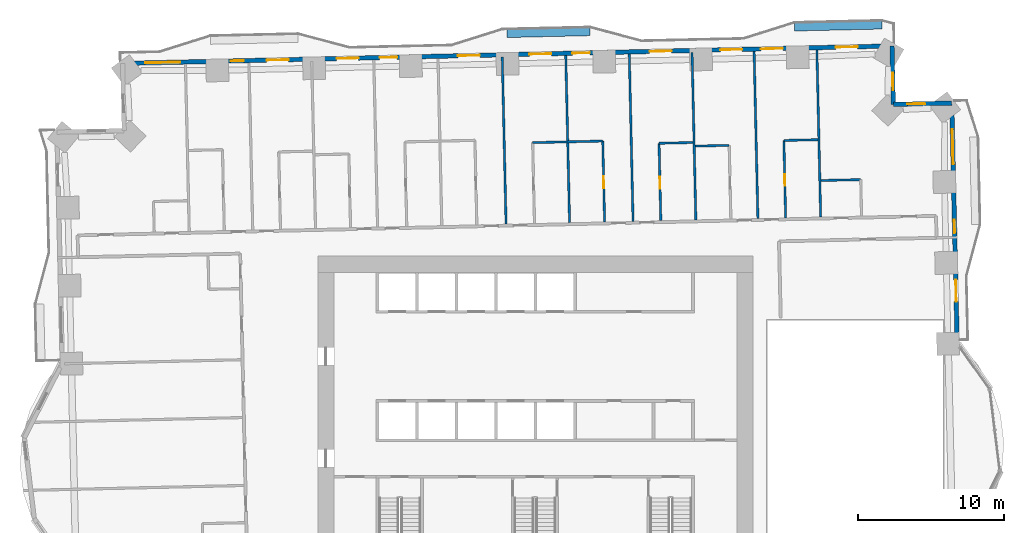
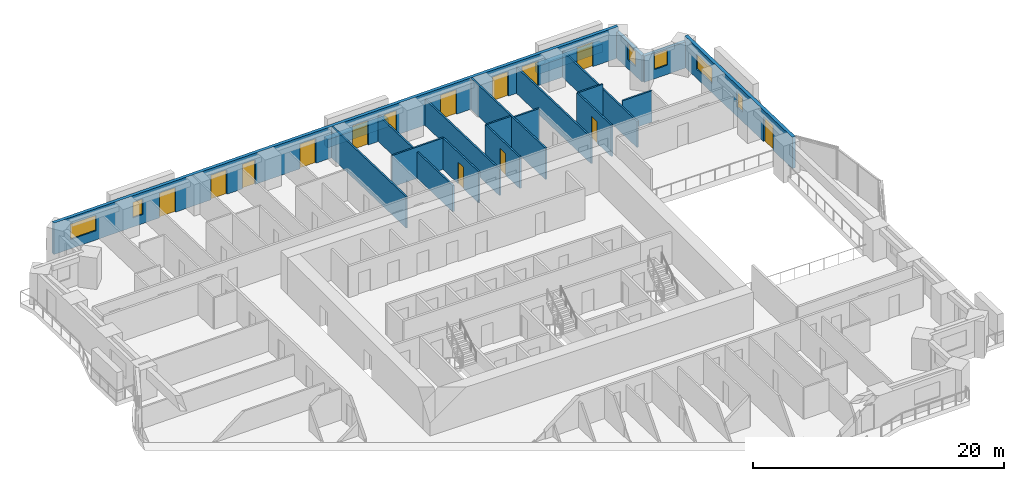
# One storey, part 11 of 16: 20 walls, 14 doors, 6 windows, 20 openings.
"""IFC4 building model written with IfcOpenShell, lengths in metres."""

from ifc_helpers import new_model, si_unit, direction, frame, frame_2d, origin, place, context, subcontext, project, spatial, rectangle, extrude, material, layer, layer_set, type_object, element, fill, save


model = new_model("IFC4")

# Units and contexts
model_context = context("Model", 3, precision=1e-05, world=origin(), true_north=direction((0.0, 1.0)))
body_context = subcontext(model_context, "Body", "Model", "MODEL_VIEW")
ifc_project = project(units=[si_unit("LENGTHUNIT", "METRE"), si_unit("AREAUNIT", "SQUARE_METRE"), si_unit("VOLUMEUNIT", "CUBIC_METRE"), si_unit("PLANEANGLEUNIT", "RADIAN"), si_unit("MASSUNIT", "GRAM", prefix="KILO")], contexts=[model_context])

# Site, building, storey
site_placement = place(None, origin())
site = spatial("IfcSite", under=ifc_project, at=site_placement, CompositionType="ELEMENT")
building_placement = place(site_placement, origin())
building = spatial("IfcBuilding", under=site, at=building_placement, Name="Mangrove Gate Tower", CompositionType="ELEMENT")
storey_placement = place(building_placement, frame((0.0, 0.0, 41.300048828125)))
storey = spatial("IfcBuildingStorey", under=building, at=storey_placement, Name="L09", CompositionType="ELEMENT", Elevation=41.300048828125)

# Wall, openings, door, windows
ifc_material_1 = material(Name="Limestone", Category="masonry")
ifc_layer_1 = layer(ifc_material_1, 0.0400390625, Name="Limestone cladding")
ifc_material_2 = material(Name="Ventilated air gap")
ifc_layer_2 = layer(ifc_material_2, 0.0400390625, Name="Ventilated cavity")
ifc_material_3 = material(Name="Mineral wool insulation")
ifc_layer_3 = layer(ifc_material_3, 0.06005859375, Name="Insulation")
ifc_material_4 = material(Name="Breather membrane")
ifc_layer_4 = layer(ifc_material_4, 0.001953125, Name="Breather membrane")
ifc_material_5 = material(Name="Concrete C20/25 blockwork", Category="masonry")
ifc_layer_5 = layer(ifc_material_5, 0.14990234375, Name="Blockwork backing wall")
ifc_material_6 = material(Name="Gypsum plaster")
ifc_layer_6 = layer(ifc_material_6, 0.008056640625, Name="Internal plaster")
ifc_layer_set_1 = layer_set([ifc_layer_1, ifc_layer_2, ifc_layer_3, ifc_layer_4, ifc_layer_5, ifc_layer_6], Name="External wall 300 limestone cladding")
wall_type_1 = type_object("IfcWallType", Name="External wall 300 limestone cladding", PredefinedType="SOLIDWALL", material=ifc_layer_set_1)
wall_1_placement = place(storey_placement, frame((28.886962890625, 5.864013671875, 0.0), z_axis=(0.0, 0.0, 1.0), x_axis=(-0.022687182773, 0.999742612745, 0.0)))
wall_1 = element("IfcWall", 1, at=wall_1_placement, inside=storey, type_object=wall_type_1, Name="WALL-L09-E2", PredefinedType="SOLIDWALL", context=body_context, shape_type="SweptSolid", body=[
    extrude(rectangle(XDim=16.529052734375, YDim=0.300048828125, at=frame_2d((8.2646484375, 0.0))), origin(), (0.0, 0.0, 1.0), 3.050048828125),
])
opening_1_placement = place(wall_1_placement, frame((2.928955078125, 0.0, 0.0)))
opening_1 = element("IfcOpeningElement", 2, at=opening_1_placement, cuts=wall_1, Name="Opening BD1", PredefinedType="OPENING", context=body_context, shape_type="SweptSolid", body=[
    extrude(rectangle(XDim=1.5, YDim=2.39990234375, at=frame_2d((0.75, 1.199951171875))), frame((0.0, 0.159912109375, 0.0), z_axis=(0.0, -1.0, 0.0), x_axis=(1.0, 0.0, 0.0)), (0.0, 0.0, 1.0), 0.320068359375),
])
opening_2_placement = place(wall_1_placement, frame((7.62890625, 0.0, 0.89990234375)))
opening_2 = element("IfcOpeningElement", 3, at=opening_2_placement, cuts=wall_1, Name="Opening W5", PredefinedType="OPENING", context=body_context, shape_type="SweptSolid", body=[
    extrude(rectangle(XDim=0.89990234375, YDim=1.5, at=frame_2d((0.449951171875, 0.75))), frame((0.0, 0.159912109375, 0.0), z_axis=(0.0, -1.0, 0.0), x_axis=(1.0, 0.0, 0.0)), (0.0, 0.0, 1.0), 0.320068359375),
])
opening_3_placement = place(wall_1_placement, frame((12.3291015625, 0.0, 0.89990234375)))
opening_3 = element("IfcOpeningElement", 4, at=opening_3_placement, cuts=wall_1, Name="Opening W2", PredefinedType="OPENING", context=body_context, shape_type="SweptSolid", body=[
    extrude(rectangle(XDim=2.39990234375, YDim=1.5, at=frame_2d((1.199951171875, 0.75))), frame((0.0, 0.159912109375, 0.0), z_axis=(0.0, -1.0, 0.0), x_axis=(1.0, 0.0, 0.0)), (0.0, 0.0, 1.0), 0.320068359375),
])
ifc_material_7 = material(Name="Aluminium frame with laminated clear glass", Category="aluminium")
door_type_1 = type_object("IfcDoorType", Name="Balcony sliding door 1500x2400", OperationType="SLIDING_TO_LEFT", PredefinedType="DOOR", material=ifc_material_7)
door_1_placement = place(opening_1_placement, origin())
door_1 = element("IfcDoor", 5, at=door_1_placement, inside=storey, type_object=door_type_1, Name="DOOR-L09-E2-1", OperationType="SLIDING_TO_LEFT", OverallHeight=2.39990234375, OverallWidth=1.5, PredefinedType="DOOR", context=body_context, shape_type="SweptSolid", body=[
    extrude(rectangle(XDim=1.5, YDim=2.39990234375, at=frame_2d((0.75, 1.199951171875))), frame((0.0, 0.02490234375, 0.0), z_axis=(0.0, -1.0, 0.0), x_axis=(1.0, 0.0, 0.0)), (0.0, 0.0, 1.0), 0.050048828125),
])
fill(opening_1, door_1)
ifc_material_8 = material(Name="Aluminium frame with double-glazed low-e glass", Category="aluminium")
window_type_1 = type_object("IfcWindowType", Name="Corner room window 2400x1500", PartitioningType="DOUBLE_PANEL_VERTICAL", PredefinedType="WINDOW", material=ifc_material_8)
window_1_placement = place(opening_3_placement, origin())
window_1 = element("IfcWindow", 6, at=window_1_placement, inside=storey, type_object=window_type_1, Name="WIN-L09-E2-3", OverallHeight=1.5, OverallWidth=2.39990234375, PartitioningType="DOUBLE_PANEL_VERTICAL", PredefinedType="WINDOW", context=body_context, shape_type="SweptSolid", body=[
    extrude(rectangle(XDim=2.39990234375, YDim=1.5, at=frame_2d((1.199951171875, 0.75))), frame((0.0, 0.030029296875, 0.0), z_axis=(0.0, -1.0, 0.0), x_axis=(1.0, 0.0, 0.0)), (0.0, 0.0, 1.0), 0.06005859375),
])
fill(opening_3, window_1)
ifc_material_9 = material(Name="Aluminium frame with double-glazed low-e glass", Category="aluminium")
window_type_2 = type_object("IfcWindowType", Name="Narrow window 900x1500", PartitioningType="SINGLE_PANEL", PredefinedType="WINDOW", material=ifc_material_9)
window_2_placement = place(opening_2_placement, origin())
window_2 = element("IfcWindow", 7, at=window_2_placement, inside=storey, type_object=window_type_2, Name="WIN-L09-E2-2", OverallHeight=1.5, OverallWidth=0.89990234375, PartitioningType="SINGLE_PANEL", PredefinedType="WINDOW", context=body_context, shape_type="SweptSolid", body=[
    extrude(rectangle(XDim=0.89990234375, YDim=1.5, at=frame_2d((0.449951171875, 0.75))), frame((0.0, 0.030029296875, 0.0), z_axis=(0.0, -1.0, 0.0), x_axis=(1.0, 0.0, 0.0)), (0.0, 0.0, 1.0), 0.06005859375),
])
fill(opening_2, window_2)

# Wall, opening, window
wall_2_placement = place(storey_placement, frame((28.511962890625, 22.388916015625, 0.0), z_axis=(0.0, 0.0, 1.0), x_axis=(-0.999747725427, -0.022460754759, 0.0)))
wall_2 = element("IfcWall", 8, at=wall_2_placement, inside=storey, type_object=wall_type_1, Name="WALL-L09-N3", PredefinedType="SOLIDWALL", context=body_context, shape_type="SweptSolid", body=[
    extrude(rectangle(XDim=4.0, YDim=0.300048828125, at=frame_2d((2.0, 0.0))), origin(), (0.0, 0.0, 1.0), 2.550048828125),
])
opening_4_placement = place(wall_2_placement, frame((1.8310546875, 0.0, 0.89990234375)))
opening_4 = element("IfcOpeningElement", 9, at=opening_4_placement, cuts=wall_2, Name="Opening W1", PredefinedType="OPENING", context=body_context, shape_type="SweptSolid", body=[
    extrude(rectangle(XDim=1.199951171875, YDim=1.5, at=frame_2d((0.60009765625, 0.75))), frame((0.0, 0.159912109375, 0.0), z_axis=(0.0, -1.0, 0.0), x_axis=(1.0, 0.0, 0.0)), (0.0, 0.0, 1.0), 0.320068359375),
])
ifc_material_10 = material(Name="Aluminium frame with double-glazed low-e glass", Category="aluminium")
window_type_3 = type_object("IfcWindowType", Name="Side lite 1200x1500", PartitioningType="SINGLE_PANEL", PredefinedType="WINDOW", material=ifc_material_10)
window_3_placement = place(opening_4_placement, origin())
window_3 = element("IfcWindow", 10, at=window_3_placement, inside=storey, type_object=window_type_3, Name="WIN-L09-N3-1", OverallHeight=1.5, OverallWidth=1.199951171875, PartitioningType="SINGLE_PANEL", PredefinedType="WINDOW", context=body_context, shape_type="SweptSolid", body=[
    extrude(rectangle(XDim=1.199951171875, YDim=1.5, at=frame_2d((0.60009765625, 0.75))), frame((0.0, 0.030029296875, 0.0), z_axis=(0.0, -1.0, 0.0), x_axis=(1.0, 0.0, 0.0)), (0.0, 0.0, 1.0), 0.06005859375),
])
fill(opening_4, window_3)

wall_3_placement = place(storey_placement, frame((24.512939453125, 22.299072265625, 0.0), z_axis=(0.0, 0.0, 1.0), x_axis=(-0.022460754759, 0.999747725427, 0.0)))
wall_3 = element("IfcWall", 11, at=wall_3_placement, inside=storey, type_object=wall_type_1, Name="WALL-L09-E4", PredefinedType="SOLIDWALL", context=body_context, shape_type="SweptSolid", body=[
    extrude(rectangle(XDim=4.0, YDim=0.300048828125, at=frame_2d((2.0, 0.0))), origin(), (0.0, 0.0, 1.0), 2.550048828125),
])
opening_5_placement = place(wall_3_placement, frame((0.9599609375, 0.0, 0.89990234375)))
opening_5 = element("IfcOpeningElement", 12, at=opening_5_placement, cuts=wall_3, Name="Opening W1", PredefinedType="OPENING", context=body_context, shape_type="SweptSolid", body=[
    extrude(rectangle(XDim=1.199951171875, YDim=1.5, at=frame_2d((0.60009765625, 0.75))), frame((0.0, 0.159912109375, 0.0), z_axis=(0.0, -1.0, 0.0), x_axis=(1.0, 0.0, 0.0)), (0.0, 0.0, 1.0), 0.320068359375),
])
window_4_placement = place(opening_5_placement, origin())
window_4 = element("IfcWindow", 13, at=window_4_placement, inside=storey, type_object=window_type_3, Name="WIN-L09-E4-1", OverallHeight=1.5, OverallWidth=1.199951171875, PartitioningType="SINGLE_PANEL", PredefinedType="WINDOW", context=body_context, shape_type="SweptSolid", body=[
    extrude(rectangle(XDim=1.199951171875, YDim=1.5, at=frame_2d((0.60009765625, 0.75))), frame((0.0, 0.030029296875, 0.0), z_axis=(0.0, -1.0, 0.0), x_axis=(1.0, 0.0, 0.0)), (0.0, 0.0, 1.0), 0.06005859375),
])
fill(opening_5, window_4)

# Wall, openings, doors, windows
wall_4_placement = place(storey_placement, frame((24.423095703125, 26.298095703125, 0.0), z_axis=(0.0, 0.0, 1.0), x_axis=(-0.999742433108, -0.022695097355, 0.0)))
wall_4 = element("IfcWall", 14, at=wall_4_placement, inside=storey, type_object=wall_type_1, Name="WALL-L09-N5", PredefinedType="SOLIDWALL", context=body_context, shape_type="SweptSolid", body=[
    extrude(rectangle(XDim=52.70068359375, YDim=0.300048828125, at=frame_2d((26.350341796875, 0.0))), origin(), (0.0, 0.0, 1.0), 3.050048828125),
])
opening_6_placement = place(wall_4_placement, frame((2.35693359375, 0.0, 0.0)))
opening_6 = element("IfcOpeningElement", 15, at=opening_6_placement, cuts=wall_4, Name="Opening BD1", PredefinedType="OPENING", context=body_context, shape_type="SweptSolid", body=[
    extrude(rectangle(XDim=1.5, YDim=2.39990234375, at=frame_2d((0.75, 1.199951171875))), frame((0.0, 0.159912109375, 0.0), z_axis=(0.0, -1.0, 0.0), x_axis=(1.0, 0.0, 0.0)), (0.0, 0.0, 1.0), 0.320068359375),
])
opening_7_placement = place(wall_4_placement, frame((7.47509765625, 0.0, 0.0)))
opening_7 = element("IfcOpeningElement", 16, at=opening_7_placement, cuts=wall_4, Name="Opening BD1", PredefinedType="OPENING", context=body_context, shape_type="SweptSolid", body=[
    extrude(rectangle(XDim=1.5, YDim=2.39990234375, at=frame_2d((0.75, 1.199951171875))), frame((0.0, 0.159912109375, 0.0), z_axis=(0.0, -1.0, 0.0), x_axis=(1.0, 0.0, 0.0)), (0.0, 0.0, 1.0), 0.320068359375),
])
opening_8_placement = place(wall_4_placement, frame((10.261962890625, 0.0, 0.0)))
opening_8 = element("IfcOpeningElement", 17, at=opening_8_placement, cuts=wall_4, Name="Opening BD1", PredefinedType="OPENING", context=body_context, shape_type="SweptSolid", body=[
    extrude(rectangle(XDim=1.5, YDim=2.39990234375, at=frame_2d((0.75, 1.199951171875))), frame((0.0, 0.159912109375, 0.0), z_axis=(0.0, -1.0, 0.0), x_axis=(1.0, 0.0, 0.0)), (0.0, 0.0, 1.0), 0.320068359375),
])
opening_9_placement = place(wall_4_placement, frame((15.10009765625, 0.0, 0.0)))
opening_9 = element("IfcOpeningElement", 18, at=opening_9_placement, cuts=wall_4, Name="Opening BD1", PredefinedType="OPENING", context=body_context, shape_type="SweptSolid", body=[
    extrude(rectangle(XDim=1.5, YDim=2.39990234375, at=frame_2d((0.75, 1.199951171875))), frame((0.0, 0.159912109375, 0.0), z_axis=(0.0, -1.0, 0.0), x_axis=(1.0, 0.0, 0.0)), (0.0, 0.0, 1.0), 0.320068359375),
])
opening_10_placement = place(wall_4_placement, frame((20.699951171875, 0.0, 0.0)))
opening_10 = element("IfcOpeningElement", 19, at=opening_10_placement, cuts=wall_4, Name="Opening BD2", PredefinedType="OPENING", context=body_context, shape_type="SweptSolid", body=[
    extrude(rectangle(XDim=1.199951171875, YDim=2.39990234375, at=frame_2d((0.60009765625, 1.199951171875))), frame((0.0, 0.159912109375, 0.0), z_axis=(0.0, -1.0, 0.0), x_axis=(1.0, 0.0, 0.0)), (0.0, 0.0, 1.0), 0.320068359375),
])
opening_11_placement = place(wall_4_placement, frame((23.3369140625, 0.0, 0.0)))
opening_11 = element("IfcOpeningElement", 20, at=opening_11_placement, cuts=wall_4, Name="Opening BD1", PredefinedType="OPENING", context=body_context, shape_type="SweptSolid", body=[
    extrude(rectangle(XDim=1.5, YDim=2.39990234375, at=frame_2d((0.75, 1.199951171875))), frame((0.0, 0.159912109375, 0.0), z_axis=(0.0, -1.0, 0.0), x_axis=(1.0, 0.0, 0.0)), (0.0, 0.0, 1.0), 0.320068359375),
])
opening_12_placement = place(wall_4_placement, frame((28.238037109375, 0.0, 0.0)))
opening_12 = element("IfcOpeningElement", 21, at=opening_12_placement, cuts=wall_4, Name="Opening BD1", PredefinedType="OPENING", context=body_context, shape_type="SweptSolid", body=[
    extrude(rectangle(XDim=1.5, YDim=2.39990234375, at=frame_2d((0.75, 1.199951171875))), frame((0.0, 0.159912109375, 0.0), z_axis=(0.0, -1.0, 0.0), x_axis=(1.0, 0.0, 0.0)), (0.0, 0.0, 1.0), 0.320068359375),
])
opening_13_placement = place(wall_4_placement, frame((33.89990234375, 0.0, 0.0)))
opening_13 = element("IfcOpeningElement", 22, at=opening_13_placement, cuts=wall_4, Name="Opening BD2", PredefinedType="OPENING", context=body_context, shape_type="SweptSolid", body=[
    extrude(rectangle(XDim=1.199951171875, YDim=2.39990234375, at=frame_2d((0.60009765625, 1.199951171875))), frame((0.0, 0.159912109375, 0.0), z_axis=(0.0, -1.0, 0.0), x_axis=(1.0, 0.0, 0.0)), (0.0, 0.0, 1.0), 0.320068359375),
])
opening_14_placement = place(wall_4_placement, frame((36.5380859375, 0.0, 0.0)))
opening_14 = element("IfcOpeningElement", 23, at=opening_14_placement, cuts=wall_4, Name="Opening BD1", PredefinedType="OPENING", context=body_context, shape_type="SweptSolid", body=[
    extrude(rectangle(XDim=1.5, YDim=2.39990234375, at=frame_2d((0.75, 1.199951171875))), frame((0.0, 0.159912109375, 0.0), z_axis=(0.0, -1.0, 0.0), x_axis=(1.0, 0.0, 0.0)), (0.0, 0.0, 1.0), 0.320068359375),
])
opening_15_placement = place(wall_4_placement, frame((41.337890625, 0.0, 0.0)))
opening_15 = element("IfcOpeningElement", 24, at=opening_15_placement, cuts=wall_4, Name="Opening BD1", PredefinedType="OPENING", context=body_context, shape_type="SweptSolid", body=[
    extrude(rectangle(XDim=1.5, YDim=2.39990234375, at=frame_2d((0.75, 1.199951171875))), frame((0.0, 0.159912109375, 0.0), z_axis=(0.0, -1.0, 0.0), x_axis=(1.0, 0.0, 0.0)), (0.0, 0.0, 1.0), 0.320068359375),
])
opening_16_placement = place(wall_4_placement, frame((44.39990234375, 0.0, 0.89990234375)))
opening_16 = element("IfcOpeningElement", 25, at=opening_16_placement, cuts=wall_4, Name="Opening W5", PredefinedType="OPENING", context=body_context, shape_type="SweptSolid", body=[
    extrude(rectangle(XDim=0.89990234375, YDim=1.5, at=frame_2d((0.449951171875, 0.75))), frame((0.0, 0.159912109375, 0.0), z_axis=(0.0, -1.0, 0.0), x_axis=(1.0, 0.0, 0.0)), (0.0, 0.0, 1.0), 0.320068359375),
])
opening_17_placement = place(wall_4_placement, frame((48.763916015625, 0.0, 0.89990234375)))
opening_17 = element("IfcOpeningElement", 26, at=opening_17_placement, cuts=wall_4, Name="Opening W2", PredefinedType="OPENING", context=body_context, shape_type="SweptSolid", body=[
    extrude(rectangle(XDim=2.39990234375, YDim=1.5, at=frame_2d((1.199951171875, 0.75))), frame((0.0, 0.159912109375, 0.0), z_axis=(0.0, -1.0, 0.0), x_axis=(1.0, 0.0, 0.0)), (0.0, 0.0, 1.0), 0.320068359375),
])
ifc_material_11 = material(Name="Aluminium frame with laminated clear glass", Category="aluminium")
door_type_2 = type_object("IfcDoorType", Name="Balcony sliding door 1200x2400", OperationType="SLIDING_TO_LEFT", PredefinedType="DOOR", material=ifc_material_11)
door_2_placement = place(opening_10_placement, origin())
door_2 = element("IfcDoor", 27, at=door_2_placement, inside=storey, type_object=door_type_2, Name="DOOR-L09-N5-5", OperationType="SLIDING_TO_LEFT", OverallHeight=2.39990234375, OverallWidth=1.199951171875, PredefinedType="DOOR", context=body_context, shape_type="SweptSolid", body=[
    extrude(rectangle(XDim=1.199951171875, YDim=2.39990234375, at=frame_2d((0.60009765625, 1.199951171875))), frame((0.0, 0.02490234375, 0.0), z_axis=(0.0, -1.0, 0.0), x_axis=(1.0, 0.0, 0.0)), (0.0, 0.0, 1.0), 0.050048828125),
])
fill(opening_10, door_2)
door_3_placement = place(opening_13_placement, origin())
door_3 = element("IfcDoor", 28, at=door_3_placement, inside=storey, type_object=door_type_2, Name="DOOR-L09-N5-8", OperationType="SLIDING_TO_LEFT", OverallHeight=2.39990234375, OverallWidth=1.199951171875, PredefinedType="DOOR", context=body_context, shape_type="SweptSolid", body=[
    extrude(rectangle(XDim=1.199951171875, YDim=2.39990234375, at=frame_2d((0.60009765625, 1.199951171875))), frame((0.0, 0.02490234375, 0.0), z_axis=(0.0, -1.0, 0.0), x_axis=(1.0, 0.0, 0.0)), (0.0, 0.0, 1.0), 0.050048828125),
])
fill(opening_13, door_3)
door_4_placement = place(opening_6_placement, origin())
door_4 = element("IfcDoor", 29, at=door_4_placement, inside=storey, type_object=door_type_1, Name="DOOR-L09-N5-1", OperationType="SLIDING_TO_LEFT", OverallHeight=2.39990234375, OverallWidth=1.5, PredefinedType="DOOR", context=body_context, shape_type="SweptSolid", body=[
    extrude(rectangle(XDim=1.5, YDim=2.39990234375, at=frame_2d((0.75, 1.199951171875))), frame((0.0, 0.02490234375, 0.0), z_axis=(0.0, -1.0, 0.0), x_axis=(1.0, 0.0, 0.0)), (0.0, 0.0, 1.0), 0.050048828125),
])
fill(opening_6, door_4)
door_5_placement = place(opening_7_placement, origin())
door_5 = element("IfcDoor", 30, at=door_5_placement, inside=storey, type_object=door_type_1, Name="DOOR-L09-N5-2", OperationType="SLIDING_TO_LEFT", OverallHeight=2.39990234375, OverallWidth=1.5, PredefinedType="DOOR", context=body_context, shape_type="SweptSolid", body=[
    extrude(rectangle(XDim=1.5, YDim=2.39990234375, at=frame_2d((0.75, 1.199951171875))), frame((0.0, 0.02490234375, 0.0), z_axis=(0.0, -1.0, 0.0), x_axis=(1.0, 0.0, 0.0)), (0.0, 0.0, 1.0), 0.050048828125),
])
fill(opening_7, door_5)
door_6_placement = place(opening_8_placement, origin())
door_6 = element("IfcDoor", 31, at=door_6_placement, inside=storey, type_object=door_type_1, Name="DOOR-L09-N5-3", OperationType="SLIDING_TO_LEFT", OverallHeight=2.39990234375, OverallWidth=1.5, PredefinedType="DOOR", context=body_context, shape_type="SweptSolid", body=[
    extrude(rectangle(XDim=1.5, YDim=2.39990234375, at=frame_2d((0.75, 1.199951171875))), frame((0.0, 0.02490234375, 0.0), z_axis=(0.0, -1.0, 0.0), x_axis=(1.0, 0.0, 0.0)), (0.0, 0.0, 1.0), 0.050048828125),
])
fill(opening_8, door_6)
door_7_placement = place(opening_9_placement, origin())
door_7 = element("IfcDoor", 32, at=door_7_placement, inside=storey, type_object=door_type_1, Name="DOOR-L09-N5-4", OperationType="SLIDING_TO_LEFT", OverallHeight=2.39990234375, OverallWidth=1.5, PredefinedType="DOOR", context=body_context, shape_type="SweptSolid", body=[
    extrude(rectangle(XDim=1.5, YDim=2.39990234375, at=frame_2d((0.75, 1.199951171875))), frame((0.0, 0.02490234375, 0.0), z_axis=(0.0, -1.0, 0.0), x_axis=(1.0, 0.0, 0.0)), (0.0, 0.0, 1.0), 0.050048828125),
])
fill(opening_9, door_7)
door_8_placement = place(opening_11_placement, origin())
door_8 = element("IfcDoor", 33, at=door_8_placement, inside=storey, type_object=door_type_1, Name="DOOR-L09-N5-6", OperationType="SLIDING_TO_LEFT", OverallHeight=2.39990234375, OverallWidth=1.5, PredefinedType="DOOR", context=body_context, shape_type="SweptSolid", body=[
    extrude(rectangle(XDim=1.5, YDim=2.39990234375, at=frame_2d((0.75, 1.199951171875))), frame((0.0, 0.02490234375, 0.0), z_axis=(0.0, -1.0, 0.0), x_axis=(1.0, 0.0, 0.0)), (0.0, 0.0, 1.0), 0.050048828125),
])
fill(opening_11, door_8)
door_9_placement = place(opening_12_placement, origin())
door_9 = element("IfcDoor", 34, at=door_9_placement, inside=storey, type_object=door_type_1, Name="DOOR-L09-N5-7", OperationType="SLIDING_TO_LEFT", OverallHeight=2.39990234375, OverallWidth=1.5, PredefinedType="DOOR", context=body_context, shape_type="SweptSolid", body=[
    extrude(rectangle(XDim=1.5, YDim=2.39990234375, at=frame_2d((0.75, 1.199951171875))), frame((0.0, 0.02490234375, 0.0), z_axis=(0.0, -1.0, 0.0), x_axis=(1.0, 0.0, 0.0)), (0.0, 0.0, 1.0), 0.050048828125),
])
fill(opening_12, door_9)
door_10_placement = place(opening_14_placement, origin())
door_10 = element("IfcDoor", 35, at=door_10_placement, inside=storey, type_object=door_type_1, Name="DOOR-L09-N5-9", OperationType="SLIDING_TO_LEFT", OverallHeight=2.39990234375, OverallWidth=1.5, PredefinedType="DOOR", context=body_context, shape_type="SweptSolid", body=[
    extrude(rectangle(XDim=1.5, YDim=2.39990234375, at=frame_2d((0.75, 1.199951171875))), frame((0.0, 0.02490234375, 0.0), z_axis=(0.0, -1.0, 0.0), x_axis=(1.0, 0.0, 0.0)), (0.0, 0.0, 1.0), 0.050048828125),
])
fill(opening_14, door_10)
door_11_placement = place(opening_15_placement, origin())
door_11 = element("IfcDoor", 36, at=door_11_placement, inside=storey, type_object=door_type_1, Name="DOOR-L09-N5-10", OperationType="SLIDING_TO_LEFT", OverallHeight=2.39990234375, OverallWidth=1.5, PredefinedType="DOOR", context=body_context, shape_type="SweptSolid", body=[
    extrude(rectangle(XDim=1.5, YDim=2.39990234375, at=frame_2d((0.75, 1.199951171875))), frame((0.0, 0.02490234375, 0.0), z_axis=(0.0, -1.0, 0.0), x_axis=(1.0, 0.0, 0.0)), (0.0, 0.0, 1.0), 0.050048828125),
])
fill(opening_15, door_11)
window_5_placement = place(opening_17_placement, origin())
window_5 = element("IfcWindow", 37, at=window_5_placement, inside=storey, type_object=window_type_1, Name="WIN-L09-N5-12", OverallHeight=1.5, OverallWidth=2.39990234375, PartitioningType="DOUBLE_PANEL_VERTICAL", PredefinedType="WINDOW", context=body_context, shape_type="SweptSolid", body=[
    extrude(rectangle(XDim=2.39990234375, YDim=1.5, at=frame_2d((1.199951171875, 0.75))), frame((0.0, 0.030029296875, 0.0), z_axis=(0.0, -1.0, 0.0), x_axis=(1.0, 0.0, 0.0)), (0.0, 0.0, 1.0), 0.06005859375),
])
fill(opening_17, window_5)
window_6_placement = place(opening_16_placement, origin())
window_6 = element("IfcWindow", 38, at=window_6_placement, inside=storey, type_object=window_type_2, Name="WIN-L09-N5-11", OverallHeight=1.5, OverallWidth=0.89990234375, PartitioningType="SINGLE_PANEL", PredefinedType="WINDOW", context=body_context, shape_type="SweptSolid", body=[
    extrude(rectangle(XDim=0.89990234375, YDim=1.5, at=frame_2d((0.449951171875, 0.75))), frame((0.0, 0.030029296875, 0.0), z_axis=(0.0, -1.0, 0.0), x_axis=(1.0, 0.0, 0.0)), (0.0, 0.0, 1.0), 0.06005859375),
])
fill(opening_16, window_6)

# Walls
ifc_material_12 = material(Name="Gypsum board on steel stud, EI 60", Category="steel")
ifc_layer_7 = layer(ifc_material_12, 0.14990234375)
ifc_layer_set_2 = layer_set([ifc_layer_7], Name="Party wall 150 EI 60")
wall_type_2 = type_object("IfcWallType", Name="Party wall 150 EI 60", PredefinedType="PARTITIONING", material=ifc_layer_set_2)
wall_5_placement = place(storey_placement, frame((-2.007080078125, 14.094970703125, 0.0), z_axis=(0.0, 0.0, 1.0), x_axis=(-0.022708327922, 0.999742132674, 0.0)))
element("IfcWall", 39, at=wall_5_placement, inside=storey, type_object=wall_type_2, Name="WALL-L09-068", PredefinedType="PARTITIONING", context=body_context, shape_type="SweptSolid", body=[
    extrude(rectangle(XDim=11.449951171875, YDim=0.14990234375, at=frame_2d((5.72509765625, 0.0))), origin(), (0.0, 0.0, 1.0), 3.050048828125),
])
wall_6_placement = place(storey_placement, frame((2.342041015625, 14.194091796875, 0.0), z_axis=(0.0, 0.0, 1.0), x_axis=(-0.022708327922, 0.999742132674, 0.0)))
element("IfcWall", 40, at=wall_6_placement, inside=storey, type_object=wall_type_2, Name="WALL-L09-070", PredefinedType="PARTITIONING", context=body_context, shape_type="SweptSolid", body=[
    extrude(rectangle(XDim=11.449951171875, YDim=0.14990234375, at=frame_2d((5.72509765625, 0.0))), origin(), (0.0, 0.0, 1.0), 2.550048828125),
])

# Wall, opening, door
wall_7_placement = place(storey_placement, frame((4.740966796875, 14.248046875, 0.0), z_axis=(0.0, 0.0, 1.0), x_axis=(-0.02273742063, 0.999741471433, 0.0)))
wall_7 = element("IfcWall", 41, at=wall_7_placement, inside=storey, type_object=wall_type_2, Name="WALL-L09-071", PredefinedType="PARTITIONING", context=body_context, shape_type="SweptSolid", body=[
    extrude(rectangle(XDim=5.54052734375, YDim=0.14990234375, at=frame_2d((2.770263671875, 0.0))), origin(), (0.0, 0.0, 1.0), 3.050048828125),
])
opening_18_placement = place(wall_7_placement, frame((2.320068359375, 0.0, 0.0)))
opening_18 = element("IfcOpeningElement", 42, at=opening_18_placement, cuts=wall_7, Name="Opening ED", PredefinedType="OPENING", context=body_context, shape_type="SweptSolid", body=[
    extrude(rectangle(XDim=0.800048828125, YDim=2.10009765625, at=frame_2d((0.39990234375, 1.050048828125))), frame((0.0, 0.0849609375, 0.0), z_axis=(0.0, -1.0, 0.0), x_axis=(1.0, 0.0, 0.0)), (0.0, 0.0, 1.0), 0.169921875),
])
ifc_material_13 = material(Name="Timber door leaf", Category="wood")
door_type_3 = type_object("IfcDoorType", Name="En-suite door 800", OperationType="SINGLE_SWING_LEFT", PredefinedType="DOOR", material=ifc_material_13)
door_12_placement = place(opening_18_placement, origin())
door_12 = element("IfcDoor", 43, at=door_12_placement, inside=storey, type_object=door_type_3, Name="DOOR-L09-ENS-c413", OperationType="SINGLE_SWING_LEFT", OverallHeight=2.10009765625, OverallWidth=0.800048828125, PredefinedType="DOOR", context=body_context, shape_type="SweptSolid", body=[
    extrude(rectangle(XDim=0.800048828125, YDim=2.10009765625, at=frame_2d((0.39990234375, 1.050048828125))), frame((0.0, 0.02490234375, 0.0), z_axis=(0.0, -1.0, 0.0), x_axis=(1.0, 0.0, 0.0)), (0.0, 0.0, 1.0), 0.050048828125),
])
fill(opening_18, door_12)

# Wall
wall_8_placement = place(storey_placement, frame((6.68994140625, 14.2919921875, 0.0), z_axis=(0.0, 0.0, 1.0), x_axis=(-0.022621153305, 0.999744108971, 0.0)))
element("IfcWall", 44, at=wall_8_placement, inside=storey, type_object=wall_type_2, Name="WALL-L09-072", PredefinedType="PARTITIONING", context=body_context, shape_type="SweptSolid", body=[
    extrude(rectangle(XDim=11.450927734375, YDim=0.14990234375, at=frame_2d((5.7255859375, 0.0))), origin(), (0.0, 0.0, 1.0), 2.550048828125),
])

# Wall, opening, door
wall_9_placement = place(storey_placement, frame((8.590087890625, 14.3349609375, 0.0), z_axis=(0.0, 0.0, 1.0), x_axis=(-0.022661766832, 0.999743189186, 0.0)))
wall_9 = element("IfcWall", 45, at=wall_9_placement, inside=storey, type_object=wall_type_2, Name="WALL-L09-073", PredefinedType="PARTITIONING", context=body_context, shape_type="SweptSolid", body=[
    extrude(rectangle(XDim=5.300537109375, YDim=0.14990234375, at=frame_2d((2.650390625, 0.0))), origin(), (0.0, 0.0, 1.0), 3.050048828125),
])
opening_19_placement = place(wall_9_placement, frame((2.199951171875, 0.0, 0.0)))
opening_19 = element("IfcOpeningElement", 46, at=opening_19_placement, cuts=wall_9, Name="Opening ED", PredefinedType="OPENING", context=body_context, shape_type="SweptSolid", body=[
    extrude(rectangle(XDim=0.800048828125, YDim=2.10009765625, at=frame_2d((0.39990234375, 1.050048828125))), frame((0.0, 0.0849609375, 0.0), z_axis=(0.0, -1.0, 0.0), x_axis=(1.0, 0.0, 0.0)), (0.0, 0.0, 1.0), 0.169921875),
])
door_13_placement = place(opening_19_placement, origin())
door_13 = element("IfcDoor", 47, at=door_13_placement, inside=storey, type_object=door_type_3, Name="DOOR-L09-ENS-c312", OperationType="SINGLE_SWING_RIGHT", OverallHeight=2.10009765625, OverallWidth=0.800048828125, PredefinedType="DOOR", context=body_context, shape_type="SweptSolid", body=[
    extrude(rectangle(XDim=0.800048828125, YDim=2.10009765625, at=frame_2d((0.39990234375, 1.050048828125))), frame((0.0, 0.02490234375, 0.0), z_axis=(0.0, -1.0, 0.0), x_axis=(1.0, 0.0, 0.0)), (0.0, 0.0, 1.0), 0.050048828125),
])
fill(opening_19, door_13)

# Walls
wall_10_placement = place(storey_placement, frame((10.989013671875, 14.389892578125, 0.0), z_axis=(0.0, 0.0, 1.0), x_axis=(-0.022623082162, 0.999744065325, 0.0)))
element("IfcWall", 48, at=wall_10_placement, inside=storey, type_object=wall_type_2, Name="WALL-L09-074", PredefinedType="PARTITIONING", context=body_context, shape_type="SweptSolid", body=[
    extrude(rectangle(XDim=11.449951171875, YDim=0.14990234375, at=frame_2d((5.72509765625, 0.0))), origin(), (0.0, 0.0, 1.0), 3.050048828125),
])
wall_11_placement = place(storey_placement, frame((15.238037109375, 14.486083984375, 0.0), z_axis=(0.0, 0.0, 1.0), x_axis=(-0.022706391805, 0.999742176649, 0.0)))
element("IfcWall", 49, at=wall_11_placement, inside=storey, type_object=wall_type_2, Name="WALL-L09-076", PredefinedType="PARTITIONING", context=body_context, shape_type="SweptSolid", body=[
    extrude(rectangle(XDim=11.450927734375, YDim=0.14990234375, at=frame_2d((5.7255859375, 0.0))), origin(), (0.0, 0.0, 1.0), 2.550048828125),
])

# Wall, opening, door
wall_12_placement = place(storey_placement, frame((17.137939453125, 14.529052734375, 0.0), z_axis=(0.0, 0.0, 1.0), x_axis=(-0.022616771387, 0.999744208111, 0.0)))
wall_12 = element("IfcWall", 50, at=wall_12_placement, inside=storey, type_object=wall_type_2, Name="WALL-L09-077", PredefinedType="PARTITIONING", context=body_context, shape_type="SweptSolid", body=[
    extrude(rectangle(XDim=5.30029296875, YDim=0.14990234375, at=frame_2d((2.650146484375, 0.0))), origin(), (0.0, 0.0, 1.0), 3.050048828125),
])
opening_20_placement = place(wall_12_placement, frame((2.199951171875, 0.0, 0.0)))
opening_20 = element("IfcOpeningElement", 51, at=opening_20_placement, cuts=wall_12, Name="Opening ED", PredefinedType="OPENING", context=body_context, shape_type="SweptSolid", body=[
    extrude(rectangle(XDim=0.800048828125, YDim=2.10009765625, at=frame_2d((0.39990234375, 1.050048828125))), frame((0.0, 0.0849609375, 0.0), z_axis=(0.0, -1.0, 0.0), x_axis=(1.0, 0.0, 0.0)), (0.0, 0.0, 1.0), 0.169921875),
])
door_14_placement = place(opening_20_placement, origin())
door_14 = element("IfcDoor", 52, at=door_14_placement, inside=storey, type_object=door_type_3, Name="DOOR-L09-ENS-c310", OperationType="SINGLE_SWING_RIGHT", OverallHeight=2.10009765625, OverallWidth=0.800048828125, PredefinedType="DOOR", context=body_context, shape_type="SweptSolid", body=[
    extrude(rectangle(XDim=0.800048828125, YDim=2.10009765625, at=frame_2d((0.39990234375, 1.050048828125))), frame((0.0, 0.02490234375, 0.0), z_axis=(0.0, -1.0, 0.0), x_axis=(1.0, 0.0, 0.0)), (0.0, 0.0, 1.0), 0.050048828125),
])
fill(opening_20, door_14)

# Walls
wall_13_placement = place(storey_placement, frame((19.537109375, 14.583984375, 0.0), z_axis=(0.0, 0.0, 1.0), x_axis=(-0.022708327922, 0.999742132674, 0.0)))
element("IfcWall", 53, at=wall_13_placement, inside=storey, type_object=wall_type_2, Name="WALL-L09-078", PredefinedType="PARTITIONING", context=body_context, shape_type="SweptSolid", body=[
    extrude(rectangle(XDim=11.449951171875, YDim=0.14990234375, at=frame_2d((5.72509765625, 0.0))), origin(), (0.0, 0.0, 1.0), 2.550048828125),
])
wall_14_placement = place(storey_placement, frame((19.554931640625, 17.0849609375, 0.0), z_axis=(0.0, 0.0, 1.0), x_axis=(0.999741187782, 0.022749889061, 0.0)))
element("IfcWall", 54, at=wall_14_placement, inside=storey, type_object=wall_type_2, Name="WALL-L09-081", PredefinedType="PARTITIONING", context=body_context, shape_type="SweptSolid", body=[
    extrude(rectangle(XDim=2.725830078125, YDim=0.14990234375, at=frame_2d((1.36279296875, 0.0))), origin(), (0.0, 0.0, 1.0), 3.050048828125),
])
for number, where, z_axis, x_axis, name in (
    (55, (10.949951171875, 19.43994140625, 0.0), (0.0, 0.0, 1.0), (0.999740260747, 0.02279059109, 0.0), "WALL-L09-083"),
    (56, (8.469970703125, 19.634033203125, 0.0), (0.0, 0.0, 1.0), (0.999740260747, 0.02279059109, 0.0), "WALL-L09-085"),
    (57, (17.01806640625, 19.827880859375, 0.0), (0.0, 0.0, 1.0), (0.999737862264, 0.022895561926, 0.0), "WALL-L09-086"),
):
    element("IfcWall", number, at=place(storey_placement, frame(where, z_axis=z_axis, x_axis=x_axis)), inside=storey, type_object=wall_type_2, Name=name, PredefinedType="PARTITIONING", context=body_context, shape_type="SweptSolid", body=[
        extrude(rectangle(XDim=2.324462890625, YDim=0.14990234375, at=frame_2d((1.162109375, 0.0))), origin(), (0.0, 0.0, 1.0), 3.050048828125),
    ])
wall_15_placement = place(storey_placement, frame((-0.18408203125, 19.677978515625, 0.0), z_axis=(0.0, 0.0, 1.0), x_axis=(0.99974154664, 0.022734113616, 0.0)))
element("IfcWall", 58, at=wall_15_placement, inside=storey, type_object=wall_type_2, Name="WALL-L09-088", PredefinedType="PARTITIONING", context=body_context, shape_type="SweptSolid", body=[
    extrude(rectangle(XDim=4.80029296875, YDim=0.14990234375, at=frame_2d((2.400146484375, 0.0))), origin(), (0.0, 0.0, 1.0), 3.050048828125),
])
ifc_material_14 = material(Name="Concrete C32/40", Category="concrete")
ifc_layer_8 = layer(ifc_material_14, 0.199951171875, Name="Planter trough wall")
ifc_material_15 = material(Name="Bituminous waterproofing membrane")
ifc_layer_9 = layer(ifc_material_15, 0.0048828125, Name="Waterproofing")
ifc_material_16 = material(Name="Drainage board and gravel")
ifc_layer_10 = layer(ifc_material_16, 0.044921875, Name="Drainage layer")
ifc_material_17 = material(Name="Planting soil")
ifc_layer_11 = layer(ifc_material_17, 0.300048828125, Name="Growing medium")
ifc_layer_set_3 = layer_set([ifc_layer_8, ifc_layer_9, ifc_layer_10, ifc_layer_11], Name="Planter wall 550 C32/40")
wall_type_3 = type_object("IfcWallType", Name="Planter wall 550 C32/40", PredefinedType="USERDEFINED", material=ifc_layer_set_3)
wall_16_placement = place(storey_placement, frame((-1.952880859375, 27.14892578125, 0.0), z_axis=(0.0, 0.0, 1.0), x_axis=(0.999743226877, 0.02266010399, 0.0)))
element("IfcWall", 59, at=wall_16_placement, inside=storey, type_object=wall_type_3, Name="PLANTER L09 N0.1", ObjectType="PLANTER", PredefinedType="USERDEFINED", context=body_context, shape_type="SweptSolid", body=[
    extrude(rectangle(XDim=5.699462890625, YDim=0.550048828125, at=frame_2d((2.849609375, 0.0))), origin(), (0.0, 0.0, 1.0), 0.800048828125),
])
wall_17_placement = place(storey_placement, frame((17.741943359375, 27.595947265625, 0.0), z_axis=(0.0, 0.0, 1.0), x_axis=(0.999743094499, 0.022665943652, 0.0)))
element("IfcWall", 60, at=wall_17_placement, inside=storey, type_object=wall_type_3, Name="PLANTER L09 N0.2", ObjectType="PLANTER", PredefinedType="USERDEFINED", context=body_context, shape_type="SweptSolid", body=[
    extrude(rectangle(XDim=5.99951171875, YDim=0.550048828125, at=frame_2d((2.999755859375, 0.0))), origin(), (0.0, 0.0, 1.0), 0.800048828125),
])

save(model, "model.ifc")
